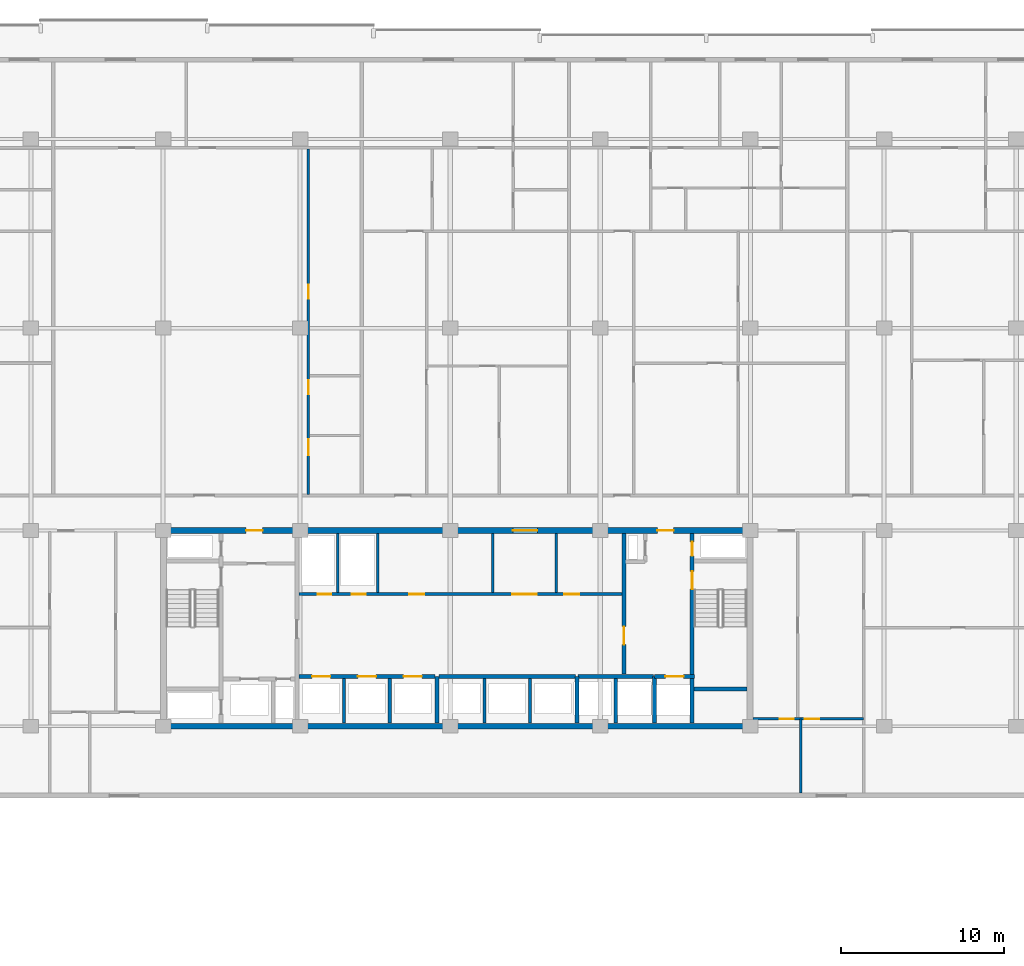
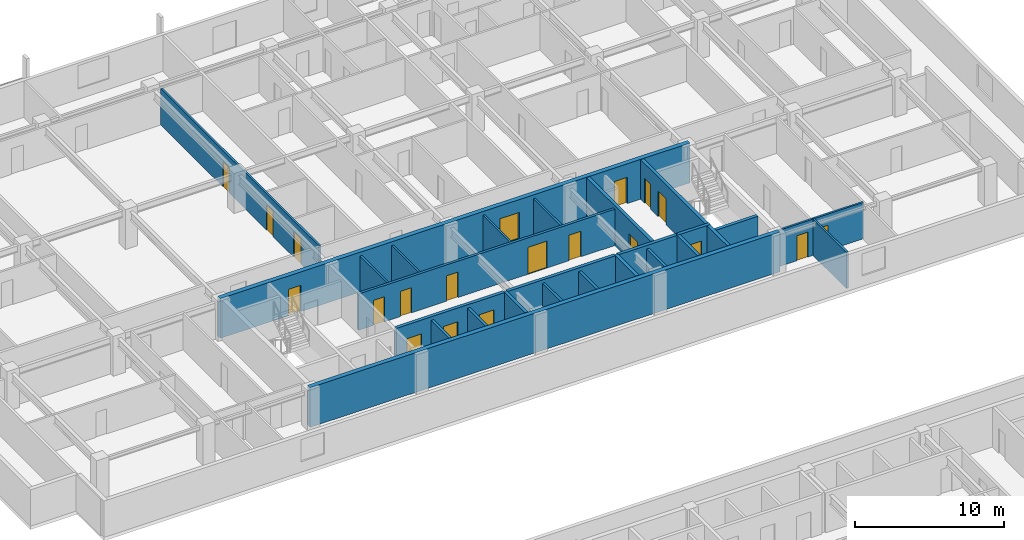
# One storey, part 12 of 22: 25 walls, 20 doors, 20 openings.
"""IFC4 building model written with IfcOpenShell, lengths in metres."""

from ifc_helpers import new_model, si_unit, direction, frame, frame_2d, origin, place, context, subcontext, project, spatial, rectangle, extrude, material, layer, layer_set, type_object, element, fill, save


model = new_model("IFC4")

# Units and contexts
model_context = context("Model", 3, precision=1e-05, world=origin(), true_north=direction((0.0, 1.0)))
body_context = subcontext(model_context, "Body", "Model", "MODEL_VIEW")
ifc_project = project(units=[si_unit("LENGTHUNIT", "METRE"), si_unit("AREAUNIT", "SQUARE_METRE"), si_unit("VOLUMEUNIT", "CUBIC_METRE"), si_unit("PLANEANGLEUNIT", "RADIAN"), si_unit("MASSUNIT", "GRAM", prefix="KILO")], contexts=[model_context])

# Site, building, storey
site_placement = place(None, origin())
site = spatial("IfcSite", under=ifc_project, at=site_placement, CompositionType="ELEMENT")
building_placement = place(site_placement, origin())
building = spatial("IfcBuilding", under=site, at=building_placement, Name="Korimba Cascade Residences", CompositionType="ELEMENT")
storey_placement = place(building_placement, frame((0.0, 0.0, 87.300048828125)))
storey = spatial("IfcBuildingStorey", under=building, at=storey_placement, Name="L24", CompositionType="ELEMENT", Elevation=87.300048828125)

# Wall
ifc_material_1 = material(Name="Concrete C65/80", Category="concrete")
ifc_layer_1 = layer(ifc_material_1, 0.35009765625)
ifc_layer_set_1 = layer_set([ifc_layer_1], Name="Concrete C65/80")
wall_type_1 = type_object("IfcWallType", Name="WAL-CORE-350", PredefinedType="SHEAR", material=ifc_layer_set_1)
wall_1_placement = place(storey_placement, frame((75.949951171875, 55.199951171875, 0.0), z_axis=(0.0, 0.0, 1.0), x_axis=(1.0, 0.0, 0.0)))
element("IfcWall", 1, at=wall_1_placement, inside=storey, type_object=wall_type_1, Name="L24 Core Shear Wall CW-L24-T1-S", PredefinedType="SHEAR", context=body_context, shape_type="SweptSolid", body=[
    extrude(rectangle(XDim=36.300048828125, YDim=0.35009765625, at=frame_2d((18.14990234375, 0.0))), origin(), (0.0, 0.0, 1.0), 3.25),
])

# Wall, openings, doors
wall_2_placement = place(storey_placement, frame((75.949951171875, 67.199951171875, 0.0), z_axis=(0.0, 0.0, 1.0), x_axis=(1.0, 0.0, 0.0)))
wall_2 = element("IfcWall", 2, at=wall_2_placement, inside=storey, type_object=wall_type_1, Name="L24 Core Shear Wall CW-L24-T1-N", PredefinedType="SHEAR", context=body_context, shape_type="SweptSolid", body=[
    extrude(rectangle(XDim=36.300048828125, YDim=0.35009765625, at=frame_2d((18.14990234375, 0.0))), origin(), (0.0, 0.0, 1.0), 3.25),
])
opening_1_placement = place(wall_2_placement, frame((5.25, 0.0, 0.0)))
opening_1 = element("IfcOpeningElement", 3, at=opening_1_placement, cuts=wall_2, Name="Opening D-FD5", PredefinedType="OPENING", context=body_context, shape_type="SweptSolid", body=[
    extrude(rectangle(XDim=1.0, YDim=2.14990234375, at=frame_2d((0.5, 1.074951171875))), frame((0.0, 0.18505859375, 0.0), z_axis=(0.0, -1.0, 0.0), x_axis=(1.0, 0.0, 0.0)), (0.0, 0.0, 1.0), 0.3701171875),
])
opening_2_placement = place(wall_2_placement, frame((21.60009765625, 0.0, 0.0)))
opening_2 = element("IfcOpeningElement", 4, at=opening_2_placement, cuts=wall_2, Name="Opening D-FD8", PredefinedType="OPENING", context=body_context, shape_type="SweptSolid", body=[
    extrude(rectangle(XDim=1.5, YDim=2.199951171875, at=frame_2d((0.75, 1.10009765625))), frame((0.0, 0.18505859375, 0.0), z_axis=(0.0, -1.0, 0.0), x_axis=(1.0, 0.0, 0.0)), (0.0, 0.0, 1.0), 0.3701171875),
])
opening_3_placement = place(wall_2_placement, frame((30.449951171875, 0.0, 0.0)))
opening_3 = element("IfcOpeningElement", 5, at=opening_3_placement, cuts=wall_2, Name="Opening D-FD5", PredefinedType="OPENING", context=body_context, shape_type="SweptSolid", body=[
    extrude(rectangle(XDim=1.0, YDim=2.14990234375, at=frame_2d((0.5, 1.074951171875))), frame((0.0, 0.18505859375, 0.0), z_axis=(0.0, -1.0, 0.0), x_axis=(1.0, 0.0, 0.0)), (0.0, 0.0, 1.0), 0.3701171875),
])
ifc_material_2 = material(Name="Fire-Rated Acoustic Timber Vestibule Door", Category="wood")
door_type_1 = type_object("IfcDoorType", Name="DR-FD90-1000", OperationType="NOTDEFINED", PredefinedType="DOOR", material=ifc_material_2)
door_1_placement = place(opening_1_placement, origin())
door_1 = element("IfcDoor", 6, at=door_1_placement, inside=storey, type_object=door_type_1, Name="L24 T1 West Core Vestibule Fire Door", OperationType="SINGLE_SWING_LEFT", OverallHeight=2.14990234375, OverallWidth=1.0, PredefinedType="DOOR", context=body_context, shape_type="SweptSolid", body=[
    extrude(rectangle(XDim=1.0, YDim=2.14990234375, at=frame_2d((0.5, 1.074951171875))), frame((0.0, 0.02490234375, 0.0), z_axis=(0.0, -1.0, 0.0), x_axis=(1.0, 0.0, 0.0)), (0.0, 0.0, 1.0), 0.050048828125),
])
fill(opening_1, door_1)
door_2_placement = place(opening_3_placement, origin())
door_2 = element("IfcDoor", 7, at=door_2_placement, inside=storey, type_object=door_type_1, Name="L24 T1 East Firefighting Vestibule Fire Door", OperationType="SINGLE_SWING_RIGHT", OverallHeight=2.14990234375, OverallWidth=1.0, PredefinedType="DOOR", context=body_context, shape_type="SweptSolid", body=[
    extrude(rectangle(XDim=1.0, YDim=2.14990234375, at=frame_2d((0.5, 1.074951171875))), frame((0.0, 0.02490234375, 0.0), z_axis=(0.0, -1.0, 0.0), x_axis=(1.0, 0.0, 0.0)), (0.0, 0.0, 1.0), 0.050048828125),
])
fill(opening_3, door_2)
ifc_material_3 = material(Name="Fire-Rated Glazed Lift Lobby Double Door", Category="glass")
door_type_2 = type_object("IfcDoorType", Name="DR-FD90-1500", OperationType="NOTDEFINED", PredefinedType="DOOR", material=ifc_material_3)
door_3_placement = place(opening_2_placement, origin())
door_3 = element("IfcDoor", 8, at=door_3_placement, inside=storey, type_object=door_type_2, Name="L24 T1 Lift Lobby Fire Door", OperationType="DOUBLE_DOOR_SINGLE_SWING", OverallHeight=2.199951171875, OverallWidth=1.5, PredefinedType="DOOR", context=body_context, shape_type="SweptSolid", body=[
    extrude(rectangle(XDim=1.5, YDim=2.199951171875, at=frame_2d((0.75, 1.10009765625))), frame((0.0, 0.02490234375, 0.0), z_axis=(0.0, -1.0, 0.0), x_axis=(1.0, 0.0, 0.0)), (0.0, 0.0, 1.0), 0.050048828125),
])
fill(opening_2, door_3)

# Walls
ifc_material_4 = material(Name="Insulated Acoustic Stud Partition", Category="gypsum")
ifc_layer_2 = layer(ifc_material_4, 0.14990234375)
ifc_layer_set_2 = layer_set([ifc_layer_2], Name="Insulated Acoustic Stud Partition")
wall_type_2 = type_object("IfcWallType", Name="WAL-PART-150", PredefinedType="PARTITIONING", material=ifc_layer_set_2)
for number, where, z_axis, x_axis, name in (
    (9, (86.800048828125, 63.39990234375, 0.0), (0.0, 0.0, 1.0), (0.0, 1.0, 0.0), "L24 Partition Wall CW-L24-T1-ERDIV"),
    (10, (89.25, 63.39990234375, 0.0), (0.0, 0.0, 1.0), (0.0, 1.0, 0.0), "L24 Partition Wall CW-L24-T1-PRDIV"),
    (11, (96.300048828125, 63.39990234375, 0.0), (0.0, 0.0, 1.0), (0.0, 1.0, 0.0), "L24 Partition Wall CW-L24-T1-THW"),
    (12, (100.199951171875, 63.39990234375, 0.0), (0.0, 0.0, 1.0), (0.0, 1.0, 0.0), "L24 Partition Wall CW-L24-T1-THE"),
):
    element("IfcWall", number, at=place(storey_placement, frame(where, z_axis=z_axis, x_axis=x_axis)), inside=storey, type_object=wall_type_2, Name=name, PredefinedType="PARTITIONING", context=body_context, shape_type="SweptSolid", body=[
        extrude(rectangle(XDim=3.60009765625, YDim=0.14990234375, at=frame_2d((1.800048828125, 0.0))), origin(), (0.0, 0.0, 1.0), 2.969970703125),
    ])
wall_3_placement = place(storey_placement, frame((115.199951171875, 51.10009765625, 0.0), z_axis=(0.0, 0.0, 1.0), x_axis=(0.0, 1.0, 0.0)))
element("IfcWall", 13, at=wall_3_placement, inside=storey, type_object=wall_type_2, Name="L24 Partition Wall WAL-L24-T1-FE-VS", PredefinedType="PARTITIONING", context=body_context, shape_type="SweptSolid", body=[
    extrude(rectangle(XDim=4.5498046875, YDim=0.14990234375, at=frame_2d((2.27490234375, 0.0))), origin(), (0.0, 0.0, 1.0), 2.969970703125),
])

# Wall, openings, doors
wall_4_placement = place(storey_placement, frame((112.27001953125, 55.64990234375, 0.0), z_axis=(0.0, 0.0, 1.0), x_axis=(1.0, 0.0, 0.0)))
wall_4 = element("IfcWall", 14, at=wall_4_placement, inside=storey, type_object=wall_type_2, Name="L24 Partition Wall WAL-L24-T1-FE-H", PredefinedType="PARTITIONING", context=body_context, shape_type="SweptSolid", body=[
    extrude(rectangle(XDim=6.760009765625, YDim=0.14990234375, at=frame_2d((3.3798828125, 0.0))), origin(), (0.0, 0.0, 1.0), 2.969970703125),
])
opening_4_placement = place(wall_4_placement, frame((1.6396484375, 0.0, 0.0)))
opening_4 = element("IfcOpeningElement", 15, at=opening_4_placement, cuts=wall_4, Name="Opening D-BT1", PredefinedType="OPENING", context=body_context, shape_type="SweptSolid", body=[
    extrude(rectangle(XDim=0.840087890625, YDim=2.0400390625, at=frame_2d((0.419921875, 1.02001953125))), frame((0.0, 0.0849609375, 0.0), z_axis=(0.0, -1.0, 0.0), x_axis=(1.0, 0.0, 0.0)), (0.0, 0.0, 1.0), 0.169921875),
])
opening_5_placement = place(wall_4_placement, frame((3.160400390625, 0.0, 0.0)))
opening_5 = element("IfcOpeningElement", 16, at=opening_5_placement, cuts=wall_4, Name="Opening D-IN2", PredefinedType="OPENING", context=body_context, shape_type="SweptSolid", body=[
    extrude(rectangle(XDim=0.8798828125, YDim=2.06005859375, at=frame_2d((0.43994140625, 1.030029296875))), frame((0.0, 0.0849609375, 0.0), z_axis=(0.0, -1.0, 0.0), x_axis=(1.0, 0.0, 0.0)), (0.0, 0.0, 1.0), 0.169921875),
])
ifc_material_5 = material(Name="Moisture-Resistant Bathroom Timber Door", Category="wood")
door_type_3 = type_object("IfcDoorType", Name="DR-INT-850", OperationType="NOTDEFINED", PredefinedType="DOOR", material=ifc_material_5)
door_4_placement = place(opening_4_placement, origin())
door_4 = element("IfcDoor", 17, at=door_4_placement, inside=storey, type_object=door_type_3, Name="L24-T1-FE Bathroom Door", OperationType="SINGLE_SWING_RIGHT", OverallHeight=2.0400390625, OverallWidth=0.840087890625, PredefinedType="DOOR", context=body_context, shape_type="SweptSolid", body=[
    extrude(rectangle(XDim=0.840087890625, YDim=2.0400390625, at=frame_2d((0.419921875, 1.02001953125))), frame((0.0, 0.02490234375, 0.0), z_axis=(0.0, -1.0, 0.0), x_axis=(1.0, 0.0, 0.0)), (0.0, 0.0, 1.0), 0.050048828125),
])
fill(opening_4, door_4)
ifc_material_6 = material(Name="Acoustic Timber Bedroom Door", Category="wood")
door_type_4 = type_object("IfcDoorType", Name="DR-INT-880", OperationType="NOTDEFINED", PredefinedType="DOOR", material=ifc_material_6)
door_5_placement = place(opening_5_placement, origin())
door_5 = element("IfcDoor", 18, at=door_5_placement, inside=storey, type_object=door_type_4, Name="L24-T1-FE Bedroom Door", OperationType="SINGLE_SWING_LEFT", OverallHeight=2.06005859375, OverallWidth=0.8798828125, PredefinedType="DOOR", context=body_context, shape_type="SweptSolid", body=[
    extrude(rectangle(XDim=0.8798828125, YDim=2.06005859375, at=frame_2d((0.43994140625, 1.030029296875))), frame((0.0, 0.02490234375, 0.0), z_axis=(0.0, -1.0, 0.0), x_axis=(1.0, 0.0, 0.0)), (0.0, 0.0, 1.0), 0.050048828125),
])
fill(opening_5, door_5)

wall_5_placement = place(storey_placement, frame((85.0146484375, 69.409912109375, 0.0), z_axis=(0.0, 0.0, 1.0), x_axis=(0.0, 1.0, 0.0)))
wall_5 = element("IfcWall", 19, at=wall_5_placement, inside=storey, type_object=wall_type_2, Name="L24 Partition Wall WAL-L24-T1-U02-WCV", PredefinedType="PARTITIONING", context=body_context, shape_type="SweptSolid", body=[
    extrude(rectangle(XDim=21.18017578125, YDim=0.14990234375, at=frame_2d((10.590087890625, 0.0))), origin(), (0.0, 0.0, 1.0), 2.969970703125),
])
opening_6_placement = place(wall_5_placement, frame((2.406005859375, 0.0, 0.0)))
opening_6 = element("IfcOpeningElement", 20, at=opening_6_placement, cuts=wall_5, Name="Opening D-AC1", PredefinedType="OPENING", context=body_context, shape_type="SweptSolid", body=[
    extrude(rectangle(XDim=0.9599609375, YDim=2.10009765625, at=frame_2d((0.47998046875, 1.050048828125))), frame((0.0, 0.0849609375, 0.0), z_axis=(0.0, -1.0, 0.0), x_axis=(1.0, 0.0, 0.0)), (0.0, 0.0, 1.0), 0.169921875),
])
opening_7_placement = place(wall_5_placement, frame((6.132568359375, 0.0, 0.0)))
opening_7 = element("IfcOpeningElement", 21, at=opening_7_placement, cuts=wall_5, Name="Opening D-IN2", PredefinedType="OPENING", context=body_context, shape_type="SweptSolid", body=[
    extrude(rectangle(XDim=0.8798828125, YDim=2.06005859375, at=frame_2d((0.43994140625, 1.030029296875))), frame((0.0, 0.0849609375, 0.0), z_axis=(0.0, -1.0, 0.0), x_axis=(1.0, 0.0, 0.0)), (0.0, 0.0, 1.0), 0.169921875),
])
opening_8_placement = place(wall_5_placement, frame((12.003173828125, 0.0, 0.0)))
opening_8 = element("IfcOpeningElement", 22, at=opening_8_placement, cuts=wall_5, Name="Opening D-BT1", PredefinedType="OPENING", context=body_context, shape_type="SweptSolid", body=[
    extrude(rectangle(XDim=0.840087890625, YDim=2.0400390625, at=frame_2d((0.419921875, 1.02001953125))), frame((0.0, 0.0849609375, 0.0), z_axis=(0.0, -1.0, 0.0), x_axis=(1.0, 0.0, 0.0)), (0.0, 0.0, 1.0), 0.169921875),
])
ifc_material_7 = material(Name="Accessible Acoustic Timber WC Door", Category="wood")
door_type_5 = type_object("IfcDoorType", Name="DR-ACC-950", OperationType="NOTDEFINED", PredefinedType="DOOR", material=ifc_material_7)
door_6_placement = place(opening_6_placement, origin())
door_6 = element("IfcDoor", 23, at=door_6_placement, inside=storey, type_object=door_type_5, Name="L24-T1-U02 Accessible WC Door", OperationType="SINGLE_SWING_RIGHT", OverallHeight=2.10009765625, OverallWidth=0.9599609375, PredefinedType="DOOR", context=body_context, shape_type="SweptSolid", body=[
    extrude(rectangle(XDim=0.9599609375, YDim=2.10009765625, at=frame_2d((0.47998046875, 1.050048828125))), frame((0.0, 0.02490234375, 0.0), z_axis=(0.0, -1.0, 0.0), x_axis=(1.0, 0.0, 0.0)), (0.0, 0.0, 1.0), 0.050048828125),
])
fill(opening_6, door_6)
door_7_placement = place(opening_8_placement, origin())
door_7 = element("IfcDoor", 24, at=door_7_placement, inside=storey, type_object=door_type_3, Name="L24-T1-U02 Suite Store Door", OperationType="SINGLE_SWING_RIGHT", OverallHeight=2.0400390625, OverallWidth=0.840087890625, PredefinedType="DOOR", context=body_context, shape_type="SweptSolid", body=[
    extrude(rectangle(XDim=0.840087890625, YDim=2.0400390625, at=frame_2d((0.419921875, 1.02001953125))), frame((0.0, 0.02490234375, 0.0), z_axis=(0.0, -1.0, 0.0), x_axis=(1.0, 0.0, 0.0)), (0.0, 0.0, 1.0), 0.050048828125),
])
fill(opening_8, door_7)
door_8_placement = place(opening_7_placement, origin())
door_8 = element("IfcDoor", 25, at=door_8_placement, inside=storey, type_object=door_type_4, Name="L24-T1-U02 Restroom WC Door", OperationType="SINGLE_SWING_LEFT", OverallHeight=2.06005859375, OverallWidth=0.8798828125, PredefinedType="DOOR", context=body_context, shape_type="SweptSolid", body=[
    extrude(rectangle(XDim=0.8798828125, YDim=2.06005859375, at=frame_2d((0.43994140625, 1.030029296875))), frame((0.0, 0.02490234375, 0.0), z_axis=(0.0, -1.0, 0.0), x_axis=(1.0, 0.0, 0.0)), (0.0, 0.0, 1.0), 0.050048828125),
])
fill(opening_7, door_8)

# Walls
ifc_material_8 = material(Name="Concrete C40/50", Category="concrete")
ifc_layer_3 = layer(ifc_material_8, 0.199951171875)
ifc_layer_set_3 = layer_set([ifc_layer_3], Name="Concrete C40/50")
wall_type_3 = type_object("IfcWallType", Name="WAL-PART-200", PredefinedType="PARTITIONING", material=ifc_layer_set_3)
for number, where, z_axis, x_axis, name in (
    (26, (87.199951171875, 55.39990234375, 0.0), (0.0, 0.0, 1.0), (0.0, 1.0, 0.0), "L24 Partition Wall CW-L24-T1-B1D1"),
    (27, (90.0, 55.39990234375, 0.0), (0.0, 0.0, 1.0), (0.0, 1.0, 0.0), "L24 Partition Wall CW-L24-T1-B1D2"),
    (28, (95.800048828125, 55.39990234375, 0.0), (0.0, 0.0, 1.0), (0.0, 1.0, 0.0), "L24 Partition Wall CW-L24-T1-B2D1"),
    (29, (98.60009765625, 55.39990234375, 0.0), (0.0, 0.0, 1.0), (0.0, 1.0, 0.0), "L24 Partition Wall CW-L24-T1-B2D2"),
    (30, (103.85009765625, 55.39990234375, 0.0), (0.0, 0.0, 1.0), (0.0, 1.0, 0.0), "L24 Partition Wall CW-L24-T1-B3D1"),
):
    element("IfcWall", number, at=place(storey_placement, frame(where, z_axis=z_axis, x_axis=x_axis)), inside=storey, type_object=wall_type_3, Name=name, PredefinedType="PARTITIONING", context=body_context, shape_type="SweptSolid", body=[
        extrude(rectangle(XDim=2.72021484375, YDim=0.199951171875, at=frame_2d((1.360107421875, 0.0))), origin(), (0.0, 0.0, 1.0), 2.969970703125),
    ])

# Wall, openings, doors
wall_6_placement = place(storey_placement, frame((84.419921875, 63.300048828125, 0.0), z_axis=(0.0, 0.0, 1.0), x_axis=(1.0, 0.0, 0.0)))
wall_6 = element("IfcWall", 31, at=wall_6_placement, inside=storey, type_object=wall_type_3, Name="L24 Partition Wall CW-L24-T1-SRVROW", PredefinedType="PARTITIONING", context=body_context, shape_type="SweptSolid", body=[
    extrude(rectangle(XDim=19.830078125, YDim=0.199951171875, at=frame_2d((9.9150390625, 0.0))), origin(), (0.0, 0.0, 1.0), 2.969970703125),
])
opening_9_placement = place(wall_6_placement, frame((1.14990234375, 0.0, 0.0)))
opening_9 = element("IfcOpeningElement", 32, at=opening_9_placement, cuts=wall_6, Name="Opening D-RS1", PredefinedType="OPENING", context=body_context, shape_type="SweptSolid", body=[
    extrude(rectangle(XDim=0.85009765625, YDim=2.050048828125, at=frame_2d((0.425048828125, 1.02490234375))), frame((0.0, 0.10986328125, 0.0), z_axis=(0.0, -1.0, 0.0), x_axis=(1.0, 0.0, 0.0)), (0.0, 0.0, 1.0), 0.219970703125),
])
opening_10_placement = place(wall_6_placement, frame((3.25, 0.0, 0.0)))
opening_10 = element("IfcOpeningElement", 33, at=opening_10_placement, cuts=wall_6, Name="Opening D-RS1", PredefinedType="OPENING", context=body_context, shape_type="SweptSolid", body=[
    extrude(rectangle(XDim=0.85009765625, YDim=2.050048828125, at=frame_2d((0.425048828125, 1.02490234375))), frame((0.0, 0.10986328125, 0.0), z_axis=(0.0, -1.0, 0.0), x_axis=(1.0, 0.0, 0.0)), (0.0, 0.0, 1.0), 0.219970703125),
])
opening_11_placement = place(wall_6_placement, frame((13.080078125, 0.0, 0.0)))
opening_11 = element("IfcOpeningElement", 34, at=opening_11_placement, cuts=wall_6, Name="Opening D-FD8", PredefinedType="OPENING", context=body_context, shape_type="SweptSolid", body=[
    extrude(rectangle(XDim=1.5, YDim=2.199951171875, at=frame_2d((0.75, 1.10009765625))), frame((0.0, 0.10986328125, 0.0), z_axis=(0.0, -1.0, 0.0), x_axis=(1.0, 0.0, 0.0)), (0.0, 0.0, 1.0), 0.219970703125),
])
opening_12_placement = place(wall_6_placement, frame((6.780029296875, 0.0, 0.0)))
opening_12 = element("IfcOpeningElement", 35, at=opening_12_placement, cuts=wall_6, Name="Opening D-IN1", PredefinedType="OPENING", context=body_context, shape_type="SweptSolid", body=[
    extrude(rectangle(XDim=0.919921875, YDim=2.080078125, at=frame_2d((0.4599609375, 1.0400390625))), frame((0.0, 0.10986328125, 0.0), z_axis=(0.0, -1.0, 0.0), x_axis=(1.0, 0.0, 0.0)), (0.0, 0.0, 1.0), 0.219970703125),
])
opening_13_placement = place(wall_6_placement, frame((16.280029296875, 0.0, 0.0)))
opening_13 = element("IfcOpeningElement", 36, at=opening_13_placement, cuts=wall_6, Name="Opening D-IN1", PredefinedType="OPENING", context=body_context, shape_type="SweptSolid", body=[
    extrude(rectangle(XDim=0.919921875, YDim=2.080078125, at=frame_2d((0.4599609375, 1.0400390625))), frame((0.0, 0.10986328125, 0.0), z_axis=(0.0, -1.0, 0.0), x_axis=(1.0, 0.0, 0.0)), (0.0, 0.0, 1.0), 0.219970703125),
])
ifc_material_9 = material(Name="Fire-Rated Steel Riser Access Door", Category="steel")
door_type_6 = type_object("IfcDoorType", Name="DR-FD60-850", OperationType="NOTDEFINED", PredefinedType="DOOR", material=ifc_material_9)
door_9_placement = place(opening_9_placement, origin())
door_9 = element("IfcDoor", 37, at=door_9_placement, inside=storey, type_object=door_type_6, Name="L24 Electrical Riser Door", OperationType="SINGLE_SWING_LEFT", OverallHeight=2.050048828125, OverallWidth=0.85009765625, PredefinedType="DOOR", context=body_context, shape_type="SweptSolid", body=[
    extrude(rectangle(XDim=0.85009765625, YDim=2.050048828125, at=frame_2d((0.425048828125, 1.02490234375))), frame((0.0, 0.02490234375, 0.0), z_axis=(0.0, -1.0, 0.0), x_axis=(1.0, 0.0, 0.0)), (0.0, 0.0, 1.0), 0.050048828125),
])
fill(opening_9, door_9)
door_10_placement = place(opening_10_placement, origin())
door_10 = element("IfcDoor", 38, at=door_10_placement, inside=storey, type_object=door_type_6, Name="L24 Plumbing Riser Door", OperationType="SINGLE_SWING_RIGHT", OverallHeight=2.050048828125, OverallWidth=0.85009765625, PredefinedType="DOOR", context=body_context, shape_type="SweptSolid", body=[
    extrude(rectangle(XDim=0.85009765625, YDim=2.050048828125, at=frame_2d((0.425048828125, 1.02490234375))), frame((0.0, 0.02490234375, 0.0), z_axis=(0.0, -1.0, 0.0), x_axis=(1.0, 0.0, 0.0)), (0.0, 0.0, 1.0), 0.050048828125),
])
fill(opening_10, door_10)
door_11_placement = place(opening_11_placement, origin())
door_11 = element("IfcDoor", 39, at=door_11_placement, inside=storey, type_object=door_type_2, Name="L24 Lift Lobby Foyer Archway Door", OperationType="DOUBLE_DOOR_SINGLE_SWING", OverallHeight=2.199951171875, OverallWidth=1.5, PredefinedType="DOOR", context=body_context, shape_type="SweptSolid", body=[
    extrude(rectangle(XDim=1.5, YDim=2.199951171875, at=frame_2d((0.75, 1.10009765625))), frame((0.0, 0.02490234375, 0.0), z_axis=(0.0, -1.0, 0.0), x_axis=(1.0, 0.0, 0.0)), (0.0, 0.0, 1.0), 0.050048828125),
])
fill(opening_11, door_11)
ifc_material_10 = material(Name="Acoustic Timber Living Door", Category="wood")
door_type_7 = type_object("IfcDoorType", Name="DR-INT-920", OperationType="NOTDEFINED", PredefinedType="DOOR", material=ifc_material_10)
door_12_placement = place(opening_12_placement, origin())
door_12 = element("IfcDoor", 40, at=door_12_placement, inside=storey, type_object=door_type_7, Name="L24 Housekeeping Door", OperationType="SINGLE_SWING_LEFT", OverallHeight=2.080078125, OverallWidth=0.919921875, PredefinedType="DOOR", context=body_context, shape_type="SweptSolid", body=[
    extrude(rectangle(XDim=0.919921875, YDim=2.080078125, at=frame_2d((0.4599609375, 1.0400390625))), frame((0.0, 0.02490234375, 0.0), z_axis=(0.0, -1.0, 0.0), x_axis=(1.0, 0.0, 0.0)), (0.0, 0.0, 1.0), 0.050048828125),
])
fill(opening_12, door_12)
door_13_placement = place(opening_13_placement, origin())
door_13 = element("IfcDoor", 41, at=door_13_placement, inside=storey, type_object=door_type_7, Name="L24 Store Door", OperationType="SINGLE_SWING_RIGHT", OverallHeight=2.080078125, OverallWidth=0.919921875, PredefinedType="DOOR", context=body_context, shape_type="SweptSolid", body=[
    extrude(rectangle(XDim=0.919921875, YDim=2.080078125, at=frame_2d((0.4599609375, 1.0400390625))), frame((0.0, 0.02490234375, 0.0), z_axis=(0.0, -1.0, 0.0), x_axis=(1.0, 0.0, 0.0)), (0.0, 0.0, 1.0), 0.050048828125),
])
fill(opening_13, door_13)

ifc_material_11 = material(Name="Concrete C50/60", Category="concrete")
ifc_layer_4 = layer(ifc_material_11, 0.25)
ifc_layer_set_4 = layer_set([ifc_layer_4], Name="Concrete C50/60")
wall_type_4 = type_object("IfcWallType", Name="WAL-SHAFT-250", PredefinedType="SHEAR", material=ifc_layer_set_4)
wall_7_placement = place(storey_placement, frame((84.419921875, 58.25, 0.0), z_axis=(0.0, 0.0, 1.0), x_axis=(1.0, 0.0, 0.0)))
wall_7 = element("IfcWall", 42, at=wall_7_placement, inside=storey, type_object=wall_type_4, Name="L24 Core Shear Wall CW-L24-T1-B1N", PredefinedType="SHEAR", context=body_context, shape_type="SweptSolid", body=[
    extrude(rectangle(XDim=8.360107421875, YDim=0.25, at=frame_2d((4.18017578125, 0.0))), origin(), (0.0, 0.0, 1.0), 3.25),
])
opening_14_placement = place(wall_7_placement, frame((0.820068359375, 0.0, 0.0)))
opening_14 = element("IfcOpeningElement", 43, at=opening_14_placement, cuts=wall_7, Name="Opening LD-01", PredefinedType="OPENING", context=body_context, shape_type="SweptSolid", body=[
    extrude(rectangle(XDim=1.1201171875, YDim=2.1201171875, at=frame_2d((0.56005859375, 1.06005859375))), frame((0.0, 0.135009765625, 0.0), z_axis=(0.0, -1.0, 0.0), x_axis=(1.0, 0.0, 0.0)), (0.0, 0.0, 1.0), 0.27001953125),
])
opening_15_placement = place(wall_7_placement, frame((3.6201171875, 0.0, 0.0)))
opening_15 = element("IfcOpeningElement", 44, at=opening_15_placement, cuts=wall_7, Name="Opening LD-01", PredefinedType="OPENING", context=body_context, shape_type="SweptSolid", body=[
    extrude(rectangle(XDim=1.1201171875, YDim=2.1201171875, at=frame_2d((0.56005859375, 1.06005859375))), frame((0.0, 0.135009765625, 0.0), z_axis=(0.0, -1.0, 0.0), x_axis=(1.0, 0.0, 0.0)), (0.0, 0.0, 1.0), 0.27001953125),
])
opening_16_placement = place(wall_7_placement, frame((6.419921875, 0.0, 0.0)))
opening_16 = element("IfcOpeningElement", 45, at=opening_16_placement, cuts=wall_7, Name="Opening LD-01", PredefinedType="OPENING", context=body_context, shape_type="SweptSolid", body=[
    extrude(rectangle(XDim=1.1201171875, YDim=2.1201171875, at=frame_2d((0.56005859375, 1.06005859375))), frame((0.0, 0.135009765625, 0.0), z_axis=(0.0, -1.0, 0.0), x_axis=(1.0, 0.0, 0.0)), (0.0, 0.0, 1.0), 0.27001953125),
])
ifc_material_12 = material(Name="Stainless Steel Lift Landing Sliding Door", Category="steel")
door_type_8 = type_object("IfcDoorType", Name="DR-LIFT-1100", OperationType="NOTDEFINED", PredefinedType="DOOR", material=ifc_material_12)
door_14_placement = place(opening_14_placement, origin())
door_14 = element("IfcDoor", 46, at=door_14_placement, inside=storey, type_object=door_type_8, Name="L24 Lift Landing Door PL-W1", OperationType="SLIDING_TO_LEFT", OverallHeight=2.1201171875, OverallWidth=1.1201171875, PredefinedType="DOOR", context=body_context, shape_type="SweptSolid", body=[
    extrude(rectangle(XDim=1.1201171875, YDim=2.1201171875, at=frame_2d((0.56005859375, 1.06005859375))), frame((0.0, 0.02490234375, 0.0), z_axis=(0.0, -1.0, 0.0), x_axis=(1.0, 0.0, 0.0)), (0.0, 0.0, 1.0), 0.050048828125),
])
fill(opening_14, door_14)
door_15_placement = place(opening_15_placement, origin())
door_15 = element("IfcDoor", 47, at=door_15_placement, inside=storey, type_object=door_type_8, Name="L24 Lift Landing Door PL-W2", OperationType="SLIDING_TO_LEFT", OverallHeight=2.1201171875, OverallWidth=1.1201171875, PredefinedType="DOOR", context=body_context, shape_type="SweptSolid", body=[
    extrude(rectangle(XDim=1.1201171875, YDim=2.1201171875, at=frame_2d((0.56005859375, 1.06005859375))), frame((0.0, 0.02490234375, 0.0), z_axis=(0.0, -1.0, 0.0), x_axis=(1.0, 0.0, 0.0)), (0.0, 0.0, 1.0), 0.050048828125),
])
fill(opening_15, door_15)
door_16_placement = place(opening_16_placement, origin())
door_16 = element("IfcDoor", 48, at=door_16_placement, inside=storey, type_object=door_type_8, Name="L24 Lift Landing Door PL-W3", OperationType="SLIDING_TO_LEFT", OverallHeight=2.1201171875, OverallWidth=1.1201171875, PredefinedType="DOOR", context=body_context, shape_type="SweptSolid", body=[
    extrude(rectangle(XDim=1.1201171875, YDim=2.1201171875, at=frame_2d((0.56005859375, 1.06005859375))), frame((0.0, 0.02490234375, 0.0), z_axis=(0.0, -1.0, 0.0), x_axis=(1.0, 0.0, 0.0)), (0.0, 0.0, 1.0), 0.050048828125),
])
fill(opening_16, door_16)

# Walls
wall_8_placement = place(storey_placement, frame((92.89990234375, 55.39990234375, 0.0), z_axis=(0.0, 0.0, 1.0), x_axis=(0.0, 1.0, 0.0)))
element("IfcWall", 49, at=wall_8_placement, inside=storey, type_object=wall_type_4, Name="L24 Core Shear Wall CW-L24-T1-B12DIV", PredefinedType="SHEAR", context=body_context, shape_type="SweptSolid", body=[
    extrude(rectangle(XDim=2.85009765625, YDim=0.25, at=frame_2d((1.425048828125, 0.0))), origin(), (0.0, 0.0, 1.0), 3.25),
])
wall_9_placement = place(storey_placement, frame((93.02001953125, 58.25, 0.0), z_axis=(0.0, 0.0, 1.0), x_axis=(1.0, 0.0, 0.0)))
element("IfcWall", 50, at=wall_9_placement, inside=storey, type_object=wall_type_4, Name="L24 Core Shear Wall CW-L24-T1-B2N", PredefinedType="SHEAR", context=body_context, shape_type="SweptSolid", body=[
    extrude(rectangle(XDim=8.35986328125, YDim=0.25, at=frame_2d((4.179931640625, 0.0))), origin(), (0.0, 0.0, 1.0), 3.25),
])
wall_10_placement = place(storey_placement, frame((101.47998046875, 55.39990234375, 0.0), z_axis=(0.0, 0.0, 1.0), x_axis=(0.0, 1.0, 0.0)))
element("IfcWall", 51, at=wall_10_placement, inside=storey, type_object=wall_type_4, Name="L24 Core Shear Wall CW-L24-T1-B23DIV", PredefinedType="SHEAR", context=body_context, shape_type="SweptSolid", body=[
    extrude(rectangle(XDim=2.85009765625, YDim=0.25, at=frame_2d((1.425048828125, 0.0))), origin(), (0.0, 0.0, 1.0), 3.25),
])
wall_11_placement = place(storey_placement, frame((101.550048828125, 58.25, 0.0), z_axis=(0.0, 0.0, 1.0), x_axis=(1.0, 0.0, 0.0)))
element("IfcWall", 52, at=wall_11_placement, inside=storey, type_object=wall_type_4, Name="L24 Core Shear Wall CW-L24-T1-B3N", PredefinedType="SHEAR", context=body_context, shape_type="SweptSolid", body=[
    extrude(rectangle(XDim=4.599853515625, YDim=0.25, at=frame_2d((2.2998046875, 0.0))), origin(), (0.0, 0.0, 1.0), 3.25),
])
wall_12_placement = place(storey_placement, frame((106.219970703125, 55.39990234375, 0.0), z_axis=(0.0, 0.0, 1.0), x_axis=(0.0, 1.0, 0.0)))
element("IfcWall", 53, at=wall_12_placement, inside=storey, type_object=wall_type_4, Name="L24 Core Shear Wall CW-L24-T1-FF2W", PredefinedType="SHEAR", context=body_context, shape_type="SweptSolid", body=[
    extrude(rectangle(XDim=2.85009765625, YDim=0.25, at=frame_2d((1.425048828125, 0.0))), origin(), (0.0, 0.0, 1.0), 3.25),
])

# Wall, opening, door
wall_13_placement = place(storey_placement, frame((106.219970703125, 58.25, 0.0), z_axis=(0.0, 0.0, 1.0), x_axis=(1.0, 0.0, 0.0)))
wall_13 = element("IfcWall", 54, at=wall_13_placement, inside=storey, type_object=wall_type_4, Name="L24 Core Shear Wall CW-L24-T1-FF2N", PredefinedType="SHEAR", context=body_context, shape_type="SweptSolid", body=[
    extrude(rectangle(XDim=2.4599609375, YDim=0.25, at=frame_2d((1.22998046875, 0.0))), origin(), (0.0, 0.0, 1.0), 3.25),
])
opening_17_placement = place(wall_13_placement, frame((0.669921875, 0.0, 0.0)))
opening_17 = element("IfcOpeningElement", 55, at=opening_17_placement, cuts=wall_13, Name="Opening LD-01", PredefinedType="OPENING", context=body_context, shape_type="SweptSolid", body=[
    extrude(rectangle(XDim=1.1201171875, YDim=2.1201171875, at=frame_2d((0.56005859375, 1.06005859375))), frame((0.0, 0.135009765625, 0.0), z_axis=(0.0, -1.0, 0.0), x_axis=(1.0, 0.0, 0.0)), (0.0, 0.0, 1.0), 0.27001953125),
])
door_17_placement = place(opening_17_placement, origin())
door_17 = element("IfcDoor", 56, at=door_17_placement, inside=storey, type_object=door_type_8, Name="L24 Firefighting Lift Landing Door FFL-W2", OperationType="SLIDING_TO_RIGHT", OverallHeight=2.1201171875, OverallWidth=1.1201171875, PredefinedType="DOOR", context=body_context, shape_type="SweptSolid", body=[
    extrude(rectangle(XDim=1.1201171875, YDim=2.1201171875, at=frame_2d((0.56005859375, 1.06005859375))), frame((0.0, 0.02490234375, 0.0), z_axis=(0.0, -1.0, 0.0), x_axis=(1.0, 0.0, 0.0)), (0.0, 0.0, 1.0), 0.050048828125),
])
fill(opening_17, door_17)

wall_14_placement = place(storey_placement, frame((104.35009765625, 58.39990234375, 0.0), z_axis=(0.0, 0.0, 1.0), x_axis=(0.0, 1.0, 0.0)))
wall_14 = element("IfcWall", 57, at=wall_14_placement, inside=storey, type_object=wall_type_4, Name="L24 Core Shear Wall CW-L24-T1-LLEV", PredefinedType="SHEAR", context=body_context, shape_type="SweptSolid", body=[
    extrude(rectangle(XDim=8.60009765625, YDim=0.25, at=frame_2d((4.300048828125, 0.0))), origin(), (0.0, 0.0, 1.0), 3.25),
])
opening_18_placement = place(wall_14_placement, frame((1.800048828125, 0.0, 0.0)))
opening_18 = element("IfcOpeningElement", 58, at=opening_18_placement, cuts=wall_14, Name="Opening D-FD1", PredefinedType="OPENING", context=body_context, shape_type="SweptSolid", body=[
    extrude(rectangle(XDim=1.10009765625, YDim=2.10009765625, at=frame_2d((0.550048828125, 1.050048828125))), frame((0.0, 0.135009765625, 0.0), z_axis=(0.0, -1.0, 0.0), x_axis=(1.0, 0.0, 0.0)), (0.0, 0.0, 1.0), 0.27001953125),
])
ifc_material_13 = material(Name="Fire-Rated Steel Core Door", Category="steel")
door_type_9 = type_object("IfcDoorType", Name="DR-FD120-1100", OperationType="NOTDEFINED", PredefinedType="DOOR", material=ifc_material_13)
door_18_placement = place(opening_18_placement, origin())
door_18 = element("IfcDoor", 59, at=door_18_placement, inside=storey, type_object=door_type_9, Name="L24 Lift Lobby to East Firefighting Lobby Door", OperationType="SINGLE_SWING_RIGHT", OverallHeight=2.10009765625, OverallWidth=1.10009765625, PredefinedType="DOOR", context=body_context, shape_type="SweptSolid", body=[
    extrude(rectangle(XDim=1.10009765625, YDim=2.10009765625, at=frame_2d((0.550048828125, 1.050048828125))), frame((0.0, 0.02490234375, 0.0), z_axis=(0.0, -1.0, 0.0), x_axis=(1.0, 0.0, 0.0)), (0.0, 0.0, 1.0), 0.050048828125),
])
fill(opening_18, door_18)

# Wall, openings, doors
wall_15_placement = place(storey_placement, frame((108.534912109375, 55.39990234375, 0.0), z_axis=(0.0, 0.0, 1.0), x_axis=(0.0, 1.0, 0.0)))
wall_15 = element("IfcWall", 60, at=wall_15_placement, inside=storey, type_object=wall_type_4, Name="L24 Core Shear Wall CW-L24-T1-STW2W", PredefinedType="SHEAR", context=body_context, shape_type="SweptSolid", body=[
    extrude(rectangle(XDim=11.60009765625, YDim=0.25, at=frame_2d((5.800048828125, 0.0))), origin(), (0.0, 0.0, 1.0), 3.25),
])
opening_19_placement = place(wall_15_placement, frame((8.199951171875, 0.0, 0.0)))
opening_19 = element("IfcOpeningElement", 61, at=opening_19_placement, cuts=wall_15, Name="Opening D-FD1", PredefinedType="OPENING", context=body_context, shape_type="SweptSolid", body=[
    extrude(rectangle(XDim=1.10009765625, YDim=2.10009765625, at=frame_2d((0.550048828125, 1.050048828125))), frame((0.0, 0.135009765625, 0.0), z_axis=(0.0, -1.0, 0.0), x_axis=(1.0, 0.0, 0.0)), (0.0, 0.0, 1.0), 0.27001953125),
])
opening_20_placement = place(wall_15_placement, frame((10.25, 0.0, 0.0)))
opening_20 = element("IfcOpeningElement", 62, at=opening_20_placement, cuts=wall_15, Name="Opening D-RS1", PredefinedType="OPENING", context=body_context, shape_type="SweptSolid", body=[
    extrude(rectangle(XDim=0.85009765625, YDim=2.050048828125, at=frame_2d((0.425048828125, 1.02490234375))), frame((0.0, 0.135009765625, 0.0), z_axis=(0.0, -1.0, 0.0), x_axis=(1.0, 0.0, 0.0)), (0.0, 0.0, 1.0), 0.27001953125),
])
door_19_placement = place(opening_19_placement, origin())
door_19 = element("IfcDoor", 63, at=door_19_placement, inside=storey, type_object=door_type_9, Name="L24 Fire Stair ST-W2 Door", OperationType="SINGLE_SWING_LEFT", OverallHeight=2.10009765625, OverallWidth=1.10009765625, PredefinedType="DOOR", context=body_context, shape_type="SweptSolid", body=[
    extrude(rectangle(XDim=1.10009765625, YDim=2.10009765625, at=frame_2d((0.550048828125, 1.050048828125))), frame((0.0, 0.02490234375, 0.0), z_axis=(0.0, -1.0, 0.0), x_axis=(1.0, 0.0, 0.0)), (0.0, 0.0, 1.0), 0.050048828125),
])
fill(opening_19, door_19)
door_20_placement = place(opening_20_placement, origin())
door_20 = element("IfcDoor", 64, at=door_20_placement, inside=storey, type_object=door_type_6, Name="L24 East Riser Door", OperationType="SINGLE_SWING_RIGHT", OverallHeight=2.050048828125, OverallWidth=0.85009765625, PredefinedType="DOOR", context=body_context, shape_type="SweptSolid", body=[
    extrude(rectangle(XDim=0.85009765625, YDim=2.050048828125, at=frame_2d((0.425048828125, 1.02490234375))), frame((0.0, 0.02490234375, 0.0), z_axis=(0.0, -1.0, 0.0), x_axis=(1.0, 0.0, 0.0)), (0.0, 0.0, 1.0), 0.050048828125),
])
fill(opening_20, door_20)

# Wall
wall_16_placement = place(storey_placement, frame((108.659912109375, 57.47509765625, 0.0), z_axis=(0.0, 0.0, 1.0), x_axis=(1.0, 0.0, 0.0)))
element("IfcWall", 65, at=wall_16_placement, inside=storey, type_object=wall_type_4, Name="L24 Core Shear Wall CW-L24-T1-STW2S", PredefinedType="SHEAR", context=body_context, shape_type="SweptSolid", body=[
    extrude(rectangle(XDim=3.239990234375, YDim=0.25, at=frame_2d((1.6201171875, 0.0))), origin(), (0.0, 0.0, 1.0), 3.25),
])

save(model, "model.ifc")
